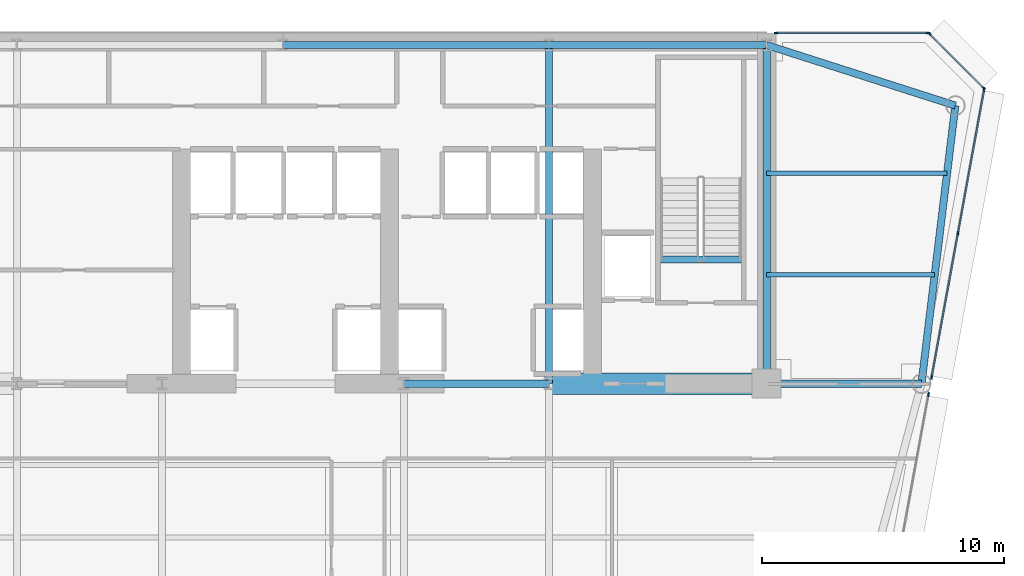
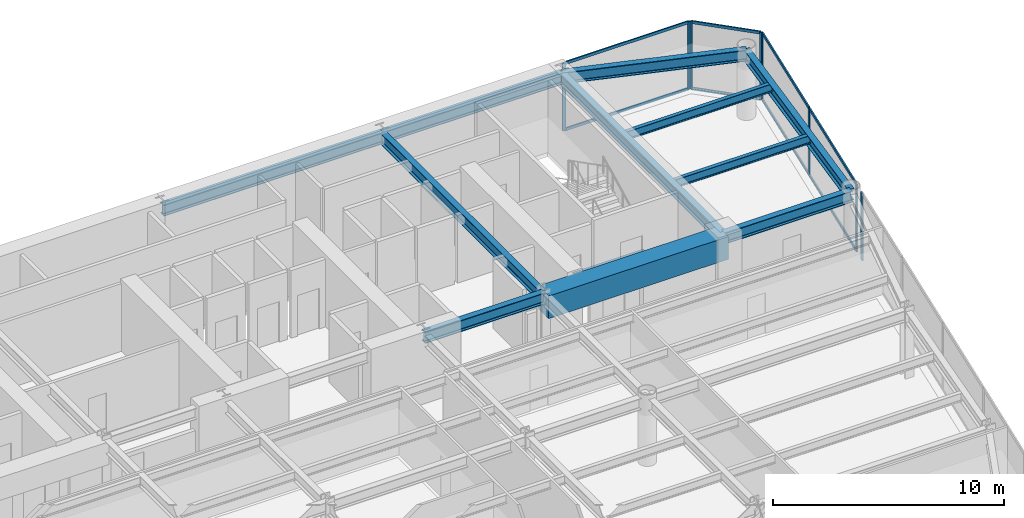
# One storey, part 9 of 17: 16 members, 12 beams, 4 elements without a shape of their own.
"""IFC4 building model written with IfcOpenShell, lengths in metres."""

from ifc_helpers import new_model, si_unit, direction, frame, origin, origin_2d, place, context, subcontext, project, spatial, rectangle, i_section, extrude, source, transform, mapped, material, layer, layer_set, material_profile, profile_set, type_object, element, aggregate, save


model = new_model("IFC4")

# Units and contexts
model_context = context("Model", 3, precision=1e-05, world=origin(), true_north=direction((0.0, 1.0)))
body_context = subcontext(model_context, "Body", "Model", "MODEL_VIEW")
ifc_project = project(units=[si_unit("LENGTHUNIT", "METRE"), si_unit("AREAUNIT", "SQUARE_METRE"), si_unit("VOLUMEUNIT", "CUBIC_METRE"), si_unit("PLANEANGLEUNIT", "RADIAN"), si_unit("MASSUNIT", "GRAM", prefix="KILO")], contexts=[model_context])

# Site, building, storey
site_placement = place(None, origin())
site = spatial("IfcSite", under=ifc_project, at=site_placement, CompositionType="ELEMENT")
building_placement = place(site_placement, origin())
building = spatial("IfcBuilding", under=site, at=building_placement, Name="Vaeldorn Concourse Tower", CompositionType="ELEMENT")
storey_placement = place(building_placement, frame((0.0, 0.0, 165.199951171875)))
storey = spatial("IfcBuildingStorey", under=building, at=storey_placement, Name="L42", CompositionType="ELEMENT", Elevation=165.199951171875)

# Beams
ifc_material_1 = material(Name="Concrete C60/75", Category="concrete")
ifc_material_profile_1 = material_profile(ifc_material_1, rectangle(XDim=0.89990234375, YDim=1.199951171875, at=origin_2d()), Name="RC 900x1200")
ifc_profile_set_1 = profile_set([ifc_material_profile_1], Name="Concrete C60/75")
beam_type_1 = type_object("IfcBeamType", Name="BM-CB-RC900", PredefinedType="BEAM", material=ifc_profile_set_1)
shared_shape_1 = source(origin(), body_context, "Body", "SweptSolid", [
    extrude(rectangle(XDim=0.89990234375, YDim=1.199951171875, at=origin_2d()), origin(), (0.0, 0.0, 1.0), 9.0),
])
beam_1_placement = place(storey_placement, frame((45.0, 36.5, 2.97998046875), z_axis=(1.0, 0.0, 0.0), x_axis=(0.0, 1.0, 0.0)))
element("IfcBeam", 1, at=beam_1_placement, inside=storey, type_object=beam_type_1, Name="Core Coupling Beam L42-2", PredefinedType="BEAM", context=body_context, shape_type="MappedRepresentation", body=[
    mapped(shared_shape_1, transform((0.0, 0.0, 0.0), scale=1.0)),
])
ifc_material_2 = material(Name="Steel S355", Category="steel")
ifc_material_profile_2 = material_profile(ifc_material_2, i_section(OverallWidth=0.300048828125, OverallDepth=0.340087890625, WebThickness=0.011962890625, FlangeThickness=0.021484375, FilletRadius=0.027099609375, at=origin_2d()), Name="HEB 340")
ifc_profile_set_2 = profile_set([ifc_material_profile_2], Name="Steel S355")
beam_type_2 = type_object("IfcBeamType", Name="BM-ST-TRIM", PredefinedType="BEAM", material=ifc_profile_set_2)
shared_shape_2 = source(origin(), body_context, "Body", "SweptSolid", [
    extrude(i_section(OverallWidth=0.300048828125, OverallDepth=0.340087890625, WebThickness=0.011962890625, FlangeThickness=0.021484375, FilletRadius=0.027099609375, at=origin_2d()), origin(), (0.0, 0.0, 1.0), 3.590087890625),
])
beam_2_placement = place(storey_placement, frame((49.47998046875, 41.639892578125, -0.389892578125), z_axis=(1.0, 0.0, 0.0), x_axis=(0.0, 1.0, 0.0)))
element("IfcBeam", 2, at=beam_2_placement, inside=storey, type_object=beam_type_2, Name="Stair Landing Trimmer Beam ST-2 L42", PredefinedType="BEAM", context=body_context, shape_type="MappedRepresentation", body=[
    mapped(shared_shape_2, transform((0.0, 0.0, 0.0), scale=1.0)),
])
ifc_material_profile_3 = material_profile(ifc_material_2, i_section(OverallWidth=0.18994140625, OverallDepth=0.449951171875, WebThickness=0.009521484375, FlangeThickness=0.0146484375, FilletRadius=0.02099609375, at=origin_2d()), Name="IPE 450")
ifc_profile_set_3 = profile_set([ifc_material_profile_3], Name="Steel S355")
beam_type_3 = type_object("IfcBeamType", Name="BM-JS-IPE450", PredefinedType="JOIST", material=ifc_profile_set_3)
shared_shape_3 = source(origin(), body_context, "Body", "SweptSolid", [
    extrude(i_section(OverallWidth=0.18994140625, OverallDepth=0.449951171875, WebThickness=0.009521484375, FlangeThickness=0.0146484375, FilletRadius=0.02099609375, at=origin_2d()), origin(), (0.0, 0.0, 1.0), 6.94775390625),
])
beam_3_placement = place(storey_placement, frame((54.0, 41.0, 3.35498046875), z_axis=(1.0, 0.0, 0.0), x_axis=(0.0, 1.0, 0.0)))
element("IfcBeam", 3, at=beam_3_placement, inside=storey, type_object=beam_type_3, Name="Beam JS-L42-NE-410", PredefinedType="JOIST", context=body_context, shape_type="MappedRepresentation", body=[
    mapped(shared_shape_3, transform((0.0, 0.0, 0.0), scale=1.0)),
])
shared_shape_4 = source(origin(), body_context, "Body", "SweptSolid", [
    extrude(i_section(OverallWidth=0.18994140625, OverallDepth=0.449951171875, WebThickness=0.009521484375, FlangeThickness=0.0146484375, FilletRadius=0.02099609375, at=origin_2d()), origin(), (0.0, 0.0, 1.0), 7.458984375),
])
beam_4_placement = place(storey_placement, frame((54.0, 45.199951171875, 3.35498046875), z_axis=(1.0, 0.0, 0.0), x_axis=(0.0, 1.0, 0.0)))
element("IfcBeam", 4, at=beam_4_placement, inside=storey, type_object=beam_type_3, Name="Beam JS-L42-NE-452", PredefinedType="JOIST", context=body_context, shape_type="MappedRepresentation", body=[
    mapped(shared_shape_4, transform((0.0, 0.0, 0.0), scale=1.0)),
])
ifc_material_profile_4 = material_profile(ifc_material_2, i_section(OverallWidth=0.300048828125, OverallDepth=0.60009765625, WebThickness=0.015380859375, FlangeThickness=0.030029296875, FilletRadius=0.027099609375, at=origin_2d()), Name="HEB 600")
ifc_profile_set_4 = profile_set([ifc_material_profile_4], Name="Steel S355")
beam_type_4 = type_object("IfcBeamType", Name="BM-PG-HEB600", PredefinedType="BEAM", material=ifc_profile_set_4)
shared_shape_5 = source(origin(), body_context, "Body", "SweptSolid", [
    extrude(i_section(OverallWidth=0.300048828125, OverallDepth=0.60009765625, WebThickness=0.015380859375, FlangeThickness=0.030029296875, FilletRadius=0.027099609375, at=origin_2d()), origin(), (0.0, 0.0, 1.0), 6.0),
])
beam_5_placement = place(storey_placement, frame((39.0, 36.5, 3.280029296875), z_axis=(1.0, 0.0, 0.0), x_axis=(0.0, 1.0, 0.0)))
element("IfcBeam", 5, at=beam_5_placement, inside=storey, type_object=beam_type_4, Name="Beam BM-L42-C-FC4-C-FC5", PredefinedType="BEAM", context=body_context, shape_type="MappedRepresentation", body=[
    mapped(shared_shape_5, transform((0.0, 0.0, 0.0), scale=1.0)),
])
shared_shape_6 = source(origin(), body_context, "Body", "SweptSolid", [
    extrude(i_section(OverallWidth=0.300048828125, OverallDepth=0.60009765625, WebThickness=0.015380859375, FlangeThickness=0.030029296875, FilletRadius=0.027099609375, at=origin_2d()), origin(), (0.0, 0.0, 1.0), 9.0),
])
beam_6_placement = place(storey_placement, frame((45.0, 50.5, 3.280029296875), z_axis=(1.0, 0.0, 0.0), x_axis=(0.0, 1.0, 0.0)))
element("IfcBeam", 6, at=beam_6_placement, inside=storey, type_object=beam_type_4, Name="Beam BM-L42-C-HC4-C-HC5", PredefinedType="BEAM", context=body_context, shape_type="MappedRepresentation", body=[
    mapped(shared_shape_6, transform((0.0, 0.0, 0.0), scale=1.0)),
])
shared_shape_7 = source(origin(), body_context, "Body", "SweptSolid", [
    extrude(i_section(OverallWidth=0.300048828125, OverallDepth=0.60009765625, WebThickness=0.015380859375, FlangeThickness=0.030029296875, FilletRadius=0.027099609375, at=origin_2d()), origin(), (0.0, 0.0, 1.0), 11.0),
])
beam_7_placement = place(storey_placement, frame((34.0, 50.5, 3.280029296875), z_axis=(1.0, 0.0, 0.0), x_axis=(0.0, 1.0, 0.0)))
element("IfcBeam", 7, at=beam_7_placement, inside=storey, type_object=beam_type_4, Name="Beam BM-L42-C-HC3-C-HC4", PredefinedType="BEAM", context=body_context, shape_type="MappedRepresentation", body=[
    mapped(shared_shape_7, transform((0.0, 0.0, 0.0), scale=1.0)),
])
shared_shape_8 = source(origin(), body_context, "Body", "SweptSolid", [
    extrude(i_section(OverallWidth=0.300048828125, OverallDepth=0.60009765625, WebThickness=0.015380859375, FlangeThickness=0.030029296875, FilletRadius=0.027099609375, at=origin_2d()), origin(), (0.0, 0.0, 1.0), 14.0),
])
for number, where, z_axis, x_axis, name in (
    (8, (45.0, 36.5, 3.280029296875), (0.0, 1.0, 0.0), (-1.0, 0.0, 0.0), "Beam BM-L42-C-FC5-C-HC4"),
    (9, (54.0, 36.5, 3.280029296875), (0.0, 1.0, 0.0), (-1.0, 0.0, 0.0), "Beam BM-L42-C-FC6-C-HC5"),
):
    element("IfcBeam", number, at=place(storey_placement, frame(where, z_axis=z_axis, x_axis=x_axis)), inside=storey, type_object=beam_type_4, Name=name, PredefinedType="BEAM", context=body_context, shape_type="MappedRepresentation", body=[
        mapped(shared_shape_8, transform((0.0, 0.0, 0.0), scale=1.0)),
    ])
shared_shape_9 = source(origin(), body_context, "Body", "SweptSolid", [
    extrude(i_section(OverallWidth=0.300048828125, OverallDepth=0.60009765625, WebThickness=0.015380859375, FlangeThickness=0.030029296875, FilletRadius=0.027099609375, at=origin_2d()), origin(), (0.0, 0.0, 1.0), 8.19091796875),
])
beam_8_placement = place(storey_placement, frame((54.0, 50.5, 3.280029296875), z_axis=(0.952282843383, -0.305216949396, 0.0), x_axis=(0.305216949396, 0.952282843383, 0.0)))
element("IfcBeam", 10, at=beam_8_placement, inside=storey, type_object=beam_type_4, Name="Beam BM-L42-C-HC5-C-NE1", PredefinedType="BEAM", context=body_context, shape_type="MappedRepresentation", body=[
    mapped(shared_shape_9, transform((0.0, 0.0, 0.0), scale=1.0)),
])
shared_shape_10 = source(origin(), body_context, "Body", "SweptSolid", [
    extrude(i_section(OverallWidth=0.300048828125, OverallDepth=0.60009765625, WebThickness=0.015380859375, FlangeThickness=0.030029296875, FilletRadius=0.027099609375, at=origin_2d()), origin(), (0.0, 0.0, 1.0), 11.5849609375),
])
beam_9_placement = place(storey_placement, frame((61.800048828125, 48.0, 3.280029296875), z_axis=(-0.120859382899, -0.992669637677, 0.0), x_axis=(0.992669637677, -0.120859382899, 0.0)))
element("IfcBeam", 11, at=beam_9_placement, inside=storey, type_object=beam_type_4, Name="Beam BM-L42-C-NE1-C-NE2", PredefinedType="BEAM", context=body_context, shape_type="MappedRepresentation", body=[
    mapped(shared_shape_10, transform((0.0, 0.0, 0.0), scale=1.0)),
])
shared_shape_11 = source(origin(), body_context, "Body", "SweptSolid", [
    extrude(i_section(OverallWidth=0.300048828125, OverallDepth=0.60009765625, WebThickness=0.015380859375, FlangeThickness=0.030029296875, FilletRadius=0.027099609375, at=origin_2d()), origin(), (0.0, 0.0, 1.0), 6.39990234375),
])
beam_10_placement = place(storey_placement, frame((54.0, 36.5, 3.280029296875), z_axis=(1.0, 0.0, 0.0), x_axis=(0.0, 1.0, 0.0)))
element("IfcBeam", 12, at=beam_10_placement, inside=storey, type_object=beam_type_4, Name="Beam BM-L42-C-FC6-C-NE2", PredefinedType="BEAM", context=body_context, shape_type="MappedRepresentation", body=[
    mapped(shared_shape_11, transform((0.0, 0.0, 0.0), scale=1.0)),
])

# Curtain wall, members
ifc_material_3 = material(Name="Anodised Bronze Aluminium", Category="aluminium")
ifc_layer = layer(ifc_material_3, 0.18994140625)
ifc_layer_set = layer_set([ifc_layer], Name="Anodised Bronze Aluminium")
curtain_wall_type = type_object("IfcCurtainWallType", Name="CW-SYS-03", PredefinedType="NOTDEFINED", material=ifc_layer_set)
curtain_wall_1_placement = place(storey_placement, origin())
curtain_wall_1 = element("IfcCurtainWall", 13, at=curtain_wall_1_placement, inside=storey, type_object=curtain_wall_type, Name="Unitised Curtain Wall CW-L42-E08-1", PredefinedType="NOTDEFINED")
ifc_material_profile_5 = material_profile(ifc_material_3, rectangle(XDim=0.06494140625, YDim=0.14990234375, at=origin_2d()), Name="CWT 65x150")
ifc_profile_set_5 = profile_set([ifc_material_profile_5], Name="Anodised Bronze Aluminium")
member_type_1 = type_object("IfcMemberType", Name="CWT-BRONZE-150", PredefinedType="USERDEFINED", material=ifc_profile_set_5)
shared_shape_12 = source(origin(), body_context, "Body", "SweptSolid", [
    extrude(rectangle(XDim=0.06494140625, YDim=0.14990234375, at=origin_2d()), origin(), (0.0, 0.0, 1.0), 3.123046875),
])
member_1_placement = place(storey_placement, frame((62.9541015625, 48.745849609375, 0.032470703125), z_axis=(-0.707106781187, 0.707106781187, 0.0), x_axis=(-0.707106781187, -0.707106781187, 0.0)))
member_1 = element("IfcMember", 14, at=member_1_placement, type_object=member_type_1, Name="CW-03 transom 1.1", ObjectType="TRANSOM", PredefinedType="USERDEFINED", context=body_context, shape_type="MappedRepresentation", body=[
    mapped(shared_shape_12, transform((0.0, 0.0, 0.0), scale=1.0)),
])
member_2_placement = place(storey_placement, frame((62.9541015625, 48.745849609375, 3.547607421875), z_axis=(-0.707106781187, 0.707106781187, 0.0), x_axis=(-0.707106781187, -0.707106781187, 0.0)))
member_2 = element("IfcMember", 15, at=member_2_placement, type_object=member_type_1, Name="CW-03 transom 1.2", ObjectType="TRANSOM", PredefinedType="USERDEFINED", context=body_context, shape_type="MappedRepresentation", body=[
    mapped(shared_shape_12, transform((0.0, 0.0, 0.0), scale=1.0)),
])

curtain_wall_2_placement = place(storey_placement, origin())
curtain_wall_2 = element("IfcCurtainWall", 16, at=curtain_wall_2_placement, inside=storey, type_object=curtain_wall_type, Name="Unitised Curtain Wall CW-L42-E09-1", PredefinedType="NOTDEFINED")
shared_shape_13 = source(origin(), body_context, "Body", "SweptSolid", [
    extrude(rectangle(XDim=0.06494140625, YDim=0.14990234375, at=origin_2d()), origin(), (0.0, 0.0, 1.0), 6.199951171875),
])
member_3_placement = place(storey_placement, frame((60.635009765625, 51.0, 0.032470703125), z_axis=(-1.0, 0.0, 0.0), x_axis=(0.0, -1.0, 0.0)))
member_3 = element("IfcMember", 17, at=member_3_placement, type_object=member_type_1, Name="CW-03 transom 1.1", ObjectType="TRANSOM", PredefinedType="USERDEFINED", context=body_context, shape_type="MappedRepresentation", body=[
    mapped(shared_shape_13, transform((0.0, 0.0, 0.0), scale=1.0)),
])
member_4_placement = place(storey_placement, frame((60.635009765625, 51.0, 3.547607421875), z_axis=(-1.0, 0.0, 0.0), x_axis=(0.0, -1.0, 0.0)))
member_4 = element("IfcMember", 18, at=member_4_placement, type_object=member_type_1, Name="CW-03 transom 1.2", ObjectType="TRANSOM", PredefinedType="USERDEFINED", context=body_context, shape_type="MappedRepresentation", body=[
    mapped(shared_shape_13, transform((0.0, 0.0, 0.0), scale=1.0)),
])

curtain_wall_3_placement = place(storey_placement, origin())
curtain_wall_3 = element("IfcCurtainWall", 19, at=curtain_wall_3_placement, inside=storey, type_object=curtain_wall_type, Name="Unitised Curtain Wall CW-L42-E07-2", PredefinedType="NOTDEFINED")
shared_shape_14 = source(origin(), body_context, "Body", "SweptSolid", [
    extrude(rectangle(XDim=0.06494140625, YDim=0.14990234375, at=origin_2d()), origin(), (0.0, 0.0, 1.0), 5.986572265625),
])
member_5_placement = place(storey_placement, frame((60.828125, 36.79345703125, 0.032470703125), z_axis=(0.179438079261, 0.98376926955, 0.0), x_axis=(-0.98376926955, 0.179438079261, 0.0)))
member_5 = element("IfcMember", 20, at=member_5_placement, type_object=member_type_1, Name="CW-03 transom 1.1", ObjectType="TRANSOM", PredefinedType="USERDEFINED", context=body_context, shape_type="MappedRepresentation", body=[
    mapped(shared_shape_14, transform((0.0, 0.0, 0.0), scale=1.0)),
])
member_6_placement = place(storey_placement, frame((60.828125, 36.79345703125, 3.547607421875), z_axis=(0.179438079261, 0.98376926955, 0.0), x_axis=(-0.98376926955, 0.179438079261, 0.0)))
member_6 = element("IfcMember", 21, at=member_6_placement, type_object=member_type_1, Name="CW-03 transom 1.2", ObjectType="TRANSOM", PredefinedType="USERDEFINED", context=body_context, shape_type="MappedRepresentation", body=[
    mapped(shared_shape_14, transform((0.0, 0.0, 0.0), scale=1.0)),
])
shared_shape_15 = source(origin(), body_context, "Body", "SweptSolid", [
    extrude(rectangle(XDim=0.06494140625, YDim=0.14990234375, at=origin_2d()), origin(), (0.0, 0.0, 1.0), 5.986328125),
])
member_7_placement = place(storey_placement, frame((61.9140625, 42.746826171875, 0.032470703125), z_axis=(0.179445278506, 0.983767956391, 0.0), x_axis=(-0.983767956391, 0.179445278506, 0.0)))
member_7 = element("IfcMember", 22, at=member_7_placement, type_object=member_type_1, Name="CW-03 transom 2.1", ObjectType="TRANSOM", PredefinedType="USERDEFINED", context=body_context, shape_type="MappedRepresentation", body=[
    mapped(shared_shape_15, transform((0.0, 0.0, 0.0), scale=1.0)),
])
member_8_placement = place(storey_placement, frame((61.9140625, 42.746826171875, 3.547607421875), z_axis=(0.179445278506, 0.983767956391, 0.0), x_axis=(-0.983767956391, 0.179445278506, 0.0)))
member_8 = element("IfcMember", 23, at=member_8_placement, type_object=member_type_1, Name="CW-03 transom 2.2", ObjectType="TRANSOM", PredefinedType="USERDEFINED", context=body_context, shape_type="MappedRepresentation", body=[
    mapped(shared_shape_15, transform((0.0, 0.0, 0.0), scale=1.0)),
])

# Curtain wall, member
curtain_wall_4_placement = place(storey_placement, origin())
curtain_wall_4 = element("IfcCurtainWall", 24, at=curtain_wall_4_placement, inside=storey, type_object=curtain_wall_type, Name="Unitised Curtain Wall CW-L42-E07-1", PredefinedType="NOTDEFINED")
ifc_material_profile_6 = material_profile(ifc_material_3, rectangle(XDim=0.06494140625, YDim=0.169921875, at=origin_2d()), Name="CWM 65x170")
ifc_profile_set_6 = profile_set([ifc_material_profile_6], Name="Anodised Bronze Aluminium")
member_type_2 = type_object("IfcMemberType", Name="CWM-BRONZE-170", PredefinedType="MULLION", material=ifc_profile_set_6)
shared_shape_16 = source(origin(), body_context, "Body", "SweptSolid", [
    extrude(rectangle(XDim=0.06494140625, YDim=0.169921875, at=origin_2d()), origin(), (0.0, 0.0, 1.0), 3.580078125),
])
member_9_placement = place(storey_placement, frame((60.69287109375, 36.051513671875, 0.0), z_axis=(0.0, 0.0, 1.0), x_axis=(-0.983767841325, 0.179445909331, 0.0)))
member_9 = element("IfcMember", 25, at=member_9_placement, type_object=member_type_2, Name="CW-03 mullion 7", PredefinedType="MULLION", context=body_context, shape_type="MappedRepresentation", body=[
    mapped(shared_shape_16, transform((0.0, 0.0, 0.0), scale=1.0)),
])
aggregate(curtain_wall_4, [member_9])

# Member
member_10_placement = place(storey_placement, frame((60.822265625, 36.761474609375, 0.0), z_axis=(0.0, 0.0, 1.0), x_axis=(-0.983767579285, 0.179447345892, 0.0)))
member_10 = element("IfcMember", 26, at=member_10_placement, type_object=member_type_2, Name="CW-03 mullion 1", PredefinedType="MULLION", context=body_context, shape_type="MappedRepresentation", body=[
    mapped(shared_shape_16, transform((0.0, 0.0, 0.0), scale=1.0)),
])

member_11_placement = place(storey_placement, frame((61.908203125, 42.71484375, 0.0), z_axis=(0.0, 0.0, 1.0), x_axis=(-0.983767579285, 0.179447345892, 0.0)))
member_11 = element("IfcMember", 27, at=member_11_placement, type_object=member_type_2, Name="CW-03 mullion 2", PredefinedType="MULLION", context=body_context, shape_type="MappedRepresentation", body=[
    mapped(shared_shape_16, transform((0.0, 0.0, 0.0), scale=1.0)),
])

member_12_placement = place(storey_placement, frame((62.994140625, 48.66796875, 0.0), z_axis=(0.0, 0.0, 1.0), x_axis=(-0.983767579285, 0.179447345892, 0.0)))
member_12 = element("IfcMember", 28, at=member_12_placement, type_object=member_type_2, Name="CW-03 mullion 3", PredefinedType="MULLION", context=body_context, shape_type="MappedRepresentation", body=[
    mapped(shared_shape_16, transform((0.0, 0.0, 0.0), scale=1.0)),
])

aggregate(curtain_wall_3, [member_10, member_11, member_12, member_5, member_6, member_7, member_8])

member_13_placement = place(storey_placement, frame((62.97705078125, 48.722900390625, 0.0), z_axis=(0.0, 0.0, 1.0), x_axis=(-0.707106781187, -0.707106781187, 0.0)))
member_13 = element("IfcMember", 29, at=member_13_placement, type_object=member_type_2, Name="CW-03 mullion 1", PredefinedType="MULLION", context=body_context, shape_type="MappedRepresentation", body=[
    mapped(shared_shape_16, transform((0.0, 0.0, 0.0), scale=1.0)),
])

member_14_placement = place(storey_placement, frame((60.722900390625, 50.97705078125, 0.0), z_axis=(0.0, 0.0, 1.0), x_axis=(-0.707106781187, -0.707106781187, 0.0)))
member_14 = element("IfcMember", 30, at=member_14_placement, type_object=member_type_2, Name="CW-03 mullion 2", PredefinedType="MULLION", context=body_context, shape_type="MappedRepresentation", body=[
    mapped(shared_shape_16, transform((0.0, 0.0, 0.0), scale=1.0)),
])

aggregate(curtain_wall_1, [member_13, member_14, member_1, member_2])

member_15_placement = place(storey_placement, frame((60.66748046875, 51.0, 0.0), z_axis=(0.0, 0.0, 1.0), x_axis=(0.0, -1.0, 0.0)))
member_15 = element("IfcMember", 31, at=member_15_placement, type_object=member_type_2, Name="CW-03 mullion 1", PredefinedType="MULLION", context=body_context, shape_type="MappedRepresentation", body=[
    mapped(shared_shape_16, transform((0.0, 0.0, 0.0), scale=1.0)),
])

member_16_placement = place(storey_placement, frame((54.402587890625, 51.0, 0.0), z_axis=(0.0, 0.0, 1.0), x_axis=(0.0, -1.0, 0.0)))
member_16 = element("IfcMember", 32, at=member_16_placement, type_object=member_type_2, Name="CW-03 mullion 2", PredefinedType="MULLION", context=body_context, shape_type="MappedRepresentation", body=[
    mapped(shared_shape_16, transform((0.0, 0.0, 0.0), scale=1.0)),
])

aggregate(curtain_wall_2, [member_15, member_16, member_3, member_4])

save(model, "model.ifc")
